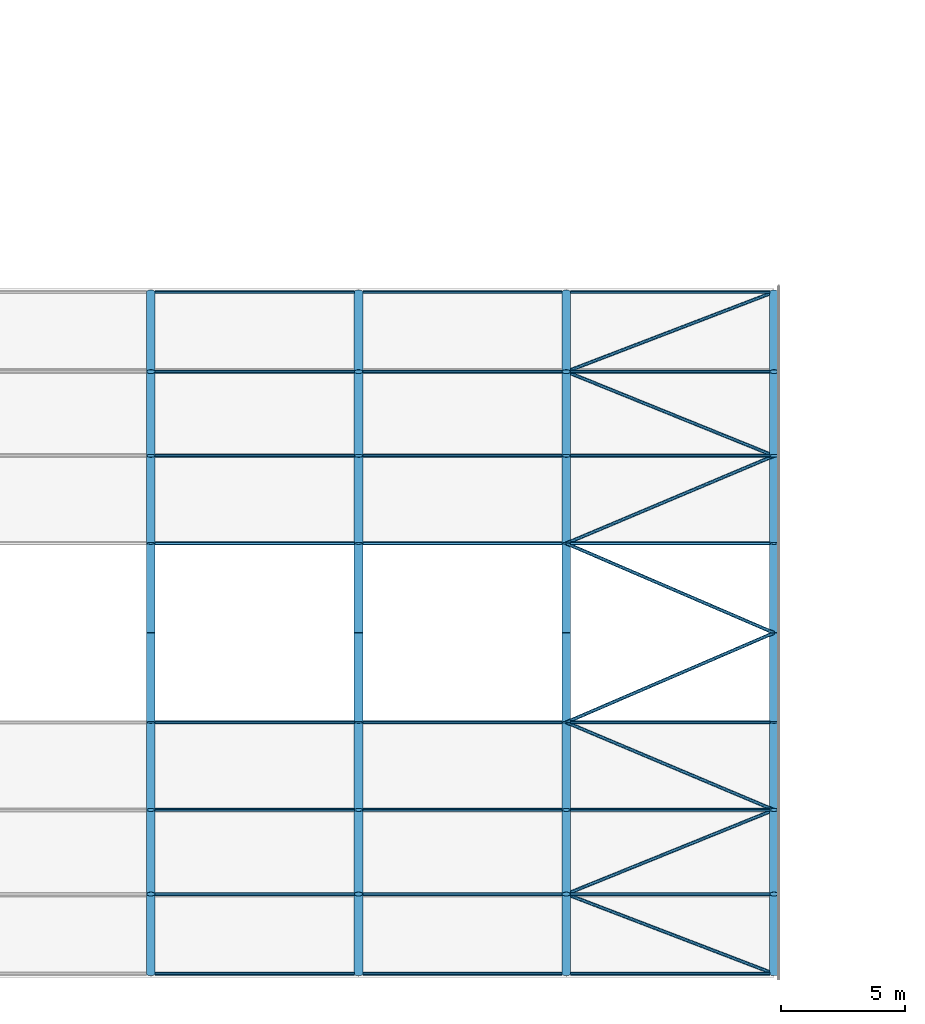
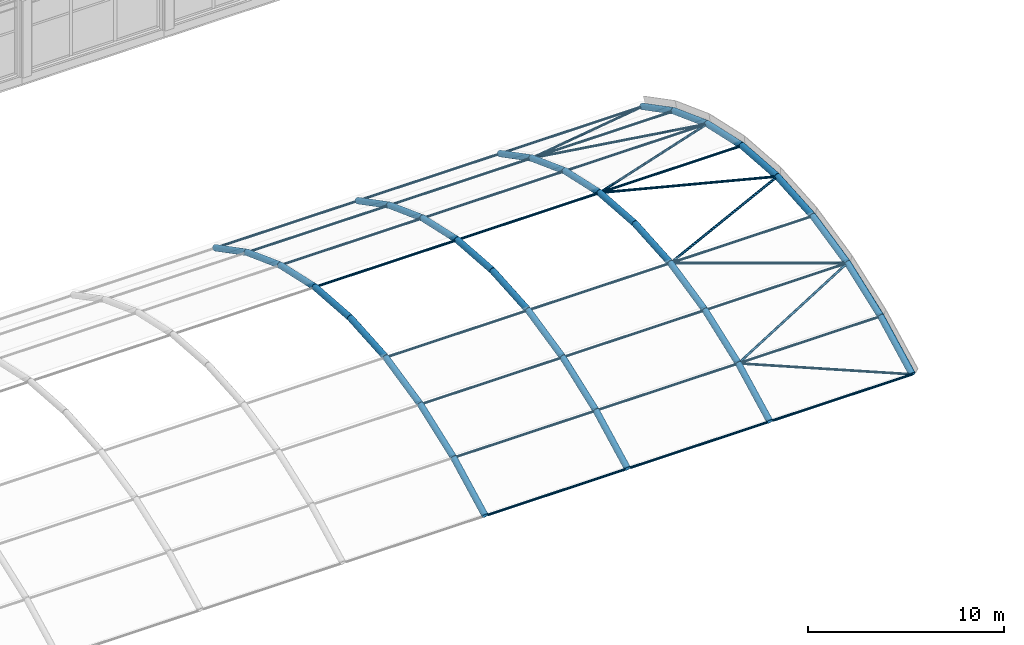
# One storey, part 29 of 167: 64 members.
"""IFC4 building model written with IfcOpenShell, lengths in metres."""

from ifc_helpers import new_model, si_unit, direction, frame, origin, origin_2d, place, context, subcontext, project, spatial, hollow_circle, extrude, material, material_profile, profile_set, type_object, element, save


model = new_model("IFC4")

# Units and contexts
model_context = context("Model", 3, precision=1e-05, world=origin(), true_north=direction((0.0, 1.0)))
body_context = subcontext(model_context, "Body", "Model", "MODEL_VIEW")
ifc_project = project(units=[si_unit("LENGTHUNIT", "METRE"), si_unit("AREAUNIT", "SQUARE_METRE"), si_unit("VOLUMEUNIT", "CUBIC_METRE"), si_unit("PLANEANGLEUNIT", "RADIAN"), si_unit("MASSUNIT", "GRAM", prefix="KILO")], contexts=[model_context])

# Site, building, storey
site_placement = place(None, origin())
site = spatial("IfcSite", under=ifc_project, at=site_placement, CompositionType="ELEMENT")
building_placement = place(site_placement, origin())
building = spatial("IfcBuilding", under=site, at=building_placement, Name="Catenary Quay Ferry Terminal", CompositionType="ELEMENT")
storey_placement = place(building_placement, frame((0.0, 0.0, 6.0)))
storey = spatial("IfcBuildingStorey", under=building, at=storey_placement, Name="L01", CompositionType="ELEMENT", Elevation=6.0)

# Members
ifc_material_1 = material(Name="Steel S355", Category="steel")
ifc_material_profile_1 = material_profile(ifc_material_1, hollow_circle(Radius=0.06982421875, WallThickness=0.008056640625, at=origin_2d()), Name="CHS 139.7x8")
ifc_profile_set_1 = profile_set([ifc_material_profile_1], Name="Steel S355")
member_type_1 = type_object("IfcMemberType", Name="BR1 CHS 139.7x8", PredefinedType="BRACE", material=ifc_profile_set_1)
for number, where, z_axis, x_axis, name in (
    (1, (100.800048828125, 19.818115234375, 1.012939453125), (-0.918043917625, 0.351907496427, 0.182637562593), (-0.357927730116, -0.933749291841, 0.0), "Roof brace BR-CA-10-02"),
    (2, (92.39990234375, 23.0380859375, 2.68408203125), (0.918034168046, 0.371781558914, 0.137810517568), (-0.375363043511, 0.926877869822, 0.0), "Roof brace BR-CA-10-03"),
    (3, (100.800048828125, 26.43994140625, 3.945068359375), (-0.918022334986, 0.387091813758, 0.085993721791), (-0.388531057549, -0.921435628419, 0.0), "Roof brace BR-CA-10-04"),
    (4, (92.39990234375, 29.98193359375, 4.73193359375), (0.91803272271, 0.395420843159, 0.029296362064), (-0.395590642742, 0.918426939596, 0.0), "Roof brace BR-CA-10-05"),
    (5, (100.800048828125, 33.60009765625, 5.0), (-0.918042408193, 0.395398333101, -0.029296671148), (-0.395568126603, -0.918436637562, 0.0), "Roof brace BR-CA-10-06"),
    (6, (92.39990234375, 37.218017578125, 4.73193359375), (0.918022334986, 0.387091813758, -0.085993721791), (-0.388531057549, 0.921435628419, 0.0), "Roof brace BR-CA-10-07"),
    (7, (100.800048828125, 40.760009765625, 3.945068359375), (-0.918025061203, 0.371804552209, -0.137809150496), (-0.375386186218, -0.926868497251, 0.0), "Roof brace BR-CA-10-08"),
    (8, (92.39990234375, 44.162109375, 2.68408203125), (0.918043917625, 0.351907496427, -0.182637562593), (-0.357927730116, 0.933749291841, 0.0), "Roof brace BR-CA-10-09"),
):
    element("IfcMember", number, at=place(storey_placement, frame(where, z_axis=z_axis, x_axis=x_axis)), inside=storey, type_object=member_type_1, Name=name, PredefinedType="BRACE", context=body_context, shape_type="SweptSolid", body=[
        extrude(hollow_circle(Radius=0.06982421875, WallThickness=0.008056640625, at=origin_2d()), origin(), (0.0, 0.0, 1.0), 9.150146484375),
    ])
ifc_material_2 = material(Name="Steel S355", Category="steel")
ifc_material_profile_2 = material_profile(ifc_material_2, hollow_circle(Radius=0.06982421875, WallThickness=0.008056640625, at=origin_2d()), Name="CHS 139.7x8")
ifc_profile_set_2 = profile_set([ifc_material_profile_2], Name="Steel S355")
member_type_2 = type_object("IfcMemberType", Name="PU1 CHS 139.7x8", PredefinedType="PURLIN", material=ifc_profile_set_2)
for number, where, z_axis, x_axis, name in (
    (9, (75.77197265625, 19.818115234375, 1.012939453125), (1.0, 0.0, 0.0), (0.0, 1.0, 0.0), "Purlin PU-CA-08-01"),
    (10, (75.77197265625, 23.0380859375, 2.68408203125), (1.0, 0.0, 0.0), (0.0, 1.0, 0.0), "Purlin PU-CA-08-02"),
    (11, (75.77197265625, 26.43994140625, 3.945068359375), (1.0, 0.0, 0.0), (0.0, 1.0, 0.0), "Purlin PU-CA-08-03"),
    (12, (75.77197265625, 29.98193359375, 4.73193359375), (1.0, 0.0, 0.0), (0.0, 1.0, 0.0), "Purlin PU-CA-08-04"),
    (13, (75.77197265625, 37.218017578125, 4.73193359375), (1.0, 0.0, 0.0), (0.0, 1.0, 0.0), "Purlin PU-CA-08-06"),
    (14, (75.77197265625, 40.760009765625, 3.945068359375), (1.0, 0.0, 0.0), (0.0, 1.0, 0.0), "Purlin PU-CA-08-07"),
    (15, (75.77197265625, 44.162109375, 2.68408203125), (1.0, 0.0, 0.0), (0.0, 1.0, 0.0), "Purlin PU-CA-08-08"),
    (16, (75.77197265625, 47.382080078125, 1.012939453125), (1.0, 0.0, 0.0), (0.0, 1.0, 0.0), "Purlin PU-CA-08-09"),
    (17, (84.172119140625, 19.818115234375, 1.012939453125), (1.0, 0.0, 0.0), (0.0, 1.0, 0.0), "Purlin PU-CA-09-01"),
    (18, (84.172119140625, 23.0380859375, 2.68408203125), (1.0, 0.0, 0.0), (0.0, 1.0, 0.0), "Purlin PU-CA-09-02"),
    (19, (84.172119140625, 26.43994140625, 3.945068359375), (1.0, 0.0, 0.0), (0.0, 1.0, 0.0), "Purlin PU-CA-09-03"),
    (20, (84.172119140625, 29.98193359375, 4.73193359375), (1.0, 0.0, 0.0), (0.0, 1.0, 0.0), "Purlin PU-CA-09-04"),
    (21, (84.172119140625, 37.218017578125, 4.73193359375), (1.0, 0.0, 0.0), (0.0, 1.0, 0.0), "Purlin PU-CA-09-06"),
    (22, (84.172119140625, 40.760009765625, 3.945068359375), (1.0, 0.0, 0.0), (0.0, 1.0, 0.0), "Purlin PU-CA-09-07"),
    (23, (84.172119140625, 44.162109375, 2.68408203125), (1.0, 0.0, 0.0), (0.0, 1.0, 0.0), "Purlin PU-CA-09-08"),
    (24, (84.172119140625, 47.382080078125, 1.012939453125), (1.0, 0.0, 0.0), (0.0, 1.0, 0.0), "Purlin PU-CA-09-09"),
    (25, (92.572021484375, 19.818115234375, 1.012939453125), (1.0, 0.0, 0.0), (0.0, 1.0, 0.0), "Purlin PU-CA-10-01"),
    (26, (92.572021484375, 23.0380859375, 2.68408203125), (1.0, 0.0, 0.0), (0.0, 1.0, 0.0), "Purlin PU-CA-10-02"),
    (27, (92.572021484375, 26.43994140625, 3.945068359375), (1.0, 0.0, 0.0), (0.0, 1.0, 0.0), "Purlin PU-CA-10-03"),
    (28, (92.572021484375, 29.98193359375, 4.73193359375), (1.0, 0.0, 0.0), (0.0, 1.0, 0.0), "Purlin PU-CA-10-04"),
    (29, (92.572021484375, 37.218017578125, 4.73193359375), (1.0, 0.0, 0.0), (0.0, 1.0, 0.0), "Purlin PU-CA-10-06"),
    (30, (92.572021484375, 40.760009765625, 3.945068359375), (1.0, 0.0, 0.0), (0.0, 1.0, 0.0), "Purlin PU-CA-10-07"),
    (31, (92.572021484375, 44.162109375, 2.68408203125), (1.0, 0.0, 0.0), (0.0, 1.0, 0.0), "Purlin PU-CA-10-08"),
    (32, (92.572021484375, 47.382080078125, 1.012939453125), (1.0, 0.0, 0.0), (0.0, 1.0, 0.0), "Purlin PU-CA-10-09"),
):
    element("IfcMember", number, at=place(storey_placement, frame(where, z_axis=z_axis, x_axis=x_axis)), inside=storey, type_object=member_type_2, Name=name, PredefinedType="PURLIN", context=body_context, shape_type="SweptSolid", body=[
        extrude(hollow_circle(Radius=0.06982421875, WallThickness=0.008056640625, at=origin_2d()), origin(), (0.0, 0.0, 1.0), 8.055908203125),
    ])
ifc_material_3 = material(Name="Steel S355", Category="steel")
ifc_material_profile_3 = material_profile(ifc_material_3, hollow_circle(Radius=0.177734375, WallThickness=0.012451171875, at=origin_2d()), Name="CHS 355.6x12.5")
ifc_profile_set_3 = profile_set([ifc_material_profile_3], Name="Steel S355")
member_type_3 = type_object("IfcMemberType", Name="VR1 CHS 355.6x12.5", PredefinedType="RAFTER", material=ifc_profile_set_3)
member_1_placement = place(storey_placement, frame((75.60009765625, 19.818115234375, 1.012939453125), z_axis=(0.0, 0.887582334138, 0.460649107376), x_axis=(-1.0, 0.0, 0.0)))
element("IfcMember", 33, at=member_1_placement, inside=storey, type_object=member_type_3, Name="rib CA-08-02", PredefinedType="RAFTER", context=body_context, shape_type="SweptSolid", body=[
    extrude(hollow_circle(Radius=0.177734375, WallThickness=0.012451171875, at=origin_2d()), origin(), (0.0, 0.0, 1.0), 3.627685546875),
])
member_2_placement = place(storey_placement, frame((75.60009765625, 23.0380859375, 2.68408203125), z_axis=(0.0, 0.93765537762, 0.347566386207), x_axis=(-1.0, 0.0, 0.0)))
element("IfcMember", 34, at=member_2_placement, inside=storey, type_object=member_type_3, Name="rib CA-08-03", PredefinedType="RAFTER", context=body_context, shape_type="SweptSolid", body=[
    extrude(hollow_circle(Radius=0.177734375, WallThickness=0.012451171875, at=origin_2d()), origin(), (0.0, 0.0, 1.0), 3.6279296875),
])
member_3_placement = place(storey_placement, frame((75.60009765625, 26.43994140625, 3.945068359375), z_axis=(0.0, 0.976201307112, 0.216866336698), x_axis=(-1.0, 0.0, 0.0)))
element("IfcMember", 35, at=member_3_placement, inside=storey, type_object=member_type_3, Name="rib CA-08-04", PredefinedType="RAFTER", context=body_context, shape_type="SweptSolid", body=[
    extrude(hollow_circle(Radius=0.177734375, WallThickness=0.012451171875, at=origin_2d()), origin(), (0.0, 0.0, 1.0), 3.62841796875),
])
member_4_placement = place(storey_placement, frame((75.60009765625, 29.98193359375, 4.73193359375), z_axis=(0.0, 0.997266652704, 0.07388655767), x_axis=(-1.0, 0.0, 0.0)))
element("IfcMember", 36, at=member_4_placement, inside=storey, type_object=member_type_3, Name="rib CA-08-05", PredefinedType="RAFTER", context=body_context, shape_type="SweptSolid", body=[
    extrude(hollow_circle(Radius=0.177734375, WallThickness=0.012451171875, at=origin_2d()), origin(), (0.0, 0.0, 1.0), 3.628173828125),
])
member_5_placement = place(storey_placement, frame((75.60009765625, 33.60009765625, 5.0), z_axis=(0.0, 0.997266285305, -0.073891516382), x_axis=(-1.0, 0.0, 0.0)))
element("IfcMember", 37, at=member_5_placement, inside=storey, type_object=member_type_3, Name="rib CA-08-06", PredefinedType="RAFTER", context=body_context, shape_type="SweptSolid", body=[
    extrude(hollow_circle(Radius=0.177734375, WallThickness=0.012451171875, at=origin_2d()), origin(), (0.0, 0.0, 1.0), 3.6279296875),
])
member_6_placement = place(storey_placement, frame((75.60009765625, 37.218017578125, 4.73193359375), z_axis=(0.0, 0.976201307112, -0.216866336698), x_axis=(-1.0, 0.0, 0.0)))
element("IfcMember", 38, at=member_6_placement, inside=storey, type_object=member_type_3, Name="rib CA-08-07", PredefinedType="RAFTER", context=body_context, shape_type="SweptSolid", body=[
    extrude(hollow_circle(Radius=0.177734375, WallThickness=0.012451171875, at=origin_2d()), origin(), (0.0, 0.0, 1.0), 3.62841796875),
])
member_7_placement = place(storey_placement, frame((75.60009765625, 40.760009765625, 3.945068359375), z_axis=(0.0, 0.93766350596, -0.347544456999), x_axis=(-1.0, 0.0, 0.0)))
element("IfcMember", 39, at=member_7_placement, inside=storey, type_object=member_type_3, Name="rib CA-08-08", PredefinedType="RAFTER", context=body_context, shape_type="SweptSolid", body=[
    extrude(hollow_circle(Radius=0.177734375, WallThickness=0.012451171875, at=origin_2d()), origin(), (0.0, 0.0, 1.0), 3.628173828125),
])
for number, where, z_axis, x_axis, name in (
    (40, (75.60009765625, 44.162109375, 2.68408203125), (0.0, 0.887582334138, -0.460649107376), (-1.0, 0.0, 0.0), "rib CA-08-09"),
    (41, (84.0, 19.818115234375, 1.012939453125), (0.0, 0.887582334138, 0.460649107376), (-1.0, 0.0, 0.0), "rib CA-09-02"),
):
    element("IfcMember", number, at=place(storey_placement, frame(where, z_axis=z_axis, x_axis=x_axis)), inside=storey, type_object=member_type_3, Name=name, PredefinedType="RAFTER", context=body_context, shape_type="SweptSolid", body=[
        extrude(hollow_circle(Radius=0.177734375, WallThickness=0.012451171875, at=origin_2d()), origin(), (0.0, 0.0, 1.0), 3.627685546875),
    ])
member_8_placement = place(storey_placement, frame((84.0, 23.0380859375, 2.68408203125), z_axis=(0.0, 0.93765537762, 0.347566386207), x_axis=(-1.0, 0.0, 0.0)))
element("IfcMember", 42, at=member_8_placement, inside=storey, type_object=member_type_3, Name="rib CA-09-03", PredefinedType="RAFTER", context=body_context, shape_type="SweptSolid", body=[
    extrude(hollow_circle(Radius=0.177734375, WallThickness=0.012451171875, at=origin_2d()), origin(), (0.0, 0.0, 1.0), 3.6279296875),
])
member_9_placement = place(storey_placement, frame((84.0, 26.43994140625, 3.945068359375), z_axis=(0.0, 0.976201307112, 0.216866336698), x_axis=(-1.0, 0.0, 0.0)))
element("IfcMember", 43, at=member_9_placement, inside=storey, type_object=member_type_3, Name="rib CA-09-04", PredefinedType="RAFTER", context=body_context, shape_type="SweptSolid", body=[
    extrude(hollow_circle(Radius=0.177734375, WallThickness=0.012451171875, at=origin_2d()), origin(), (0.0, 0.0, 1.0), 3.62841796875),
])
member_10_placement = place(storey_placement, frame((84.0, 29.98193359375, 4.73193359375), z_axis=(0.0, 0.997266652704, 0.07388655767), x_axis=(-1.0, 0.0, 0.0)))
element("IfcMember", 44, at=member_10_placement, inside=storey, type_object=member_type_3, Name="rib CA-09-05", PredefinedType="RAFTER", context=body_context, shape_type="SweptSolid", body=[
    extrude(hollow_circle(Radius=0.177734375, WallThickness=0.012451171875, at=origin_2d()), origin(), (0.0, 0.0, 1.0), 3.628173828125),
])
member_11_placement = place(storey_placement, frame((84.0, 33.60009765625, 5.0), z_axis=(0.0, 0.997266285305, -0.073891516382), x_axis=(-1.0, 0.0, 0.0)))
element("IfcMember", 45, at=member_11_placement, inside=storey, type_object=member_type_3, Name="rib CA-09-06", PredefinedType="RAFTER", context=body_context, shape_type="SweptSolid", body=[
    extrude(hollow_circle(Radius=0.177734375, WallThickness=0.012451171875, at=origin_2d()), origin(), (0.0, 0.0, 1.0), 3.6279296875),
])
member_12_placement = place(storey_placement, frame((84.0, 37.218017578125, 4.73193359375), z_axis=(0.0, 0.976201307112, -0.216866336698), x_axis=(-1.0, 0.0, 0.0)))
element("IfcMember", 46, at=member_12_placement, inside=storey, type_object=member_type_3, Name="rib CA-09-07", PredefinedType="RAFTER", context=body_context, shape_type="SweptSolid", body=[
    extrude(hollow_circle(Radius=0.177734375, WallThickness=0.012451171875, at=origin_2d()), origin(), (0.0, 0.0, 1.0), 3.62841796875),
])
member_13_placement = place(storey_placement, frame((84.0, 40.760009765625, 3.945068359375), z_axis=(0.0, 0.93766350596, -0.347544456999), x_axis=(-1.0, 0.0, 0.0)))
element("IfcMember", 47, at=member_13_placement, inside=storey, type_object=member_type_3, Name="rib CA-09-08", PredefinedType="RAFTER", context=body_context, shape_type="SweptSolid", body=[
    extrude(hollow_circle(Radius=0.177734375, WallThickness=0.012451171875, at=origin_2d()), origin(), (0.0, 0.0, 1.0), 3.628173828125),
])
for number, where, z_axis, x_axis, name in (
    (48, (84.0, 44.162109375, 2.68408203125), (0.0, 0.887582334138, -0.460649107376), (-1.0, 0.0, 0.0), "rib CA-09-09"),
    (49, (92.39990234375, 19.818115234375, 1.012939453125), (0.0, 0.887582334138, 0.460649107376), (-1.0, 0.0, 0.0), "rib CA-10-02"),
):
    element("IfcMember", number, at=place(storey_placement, frame(where, z_axis=z_axis, x_axis=x_axis)), inside=storey, type_object=member_type_3, Name=name, PredefinedType="RAFTER", context=body_context, shape_type="SweptSolid", body=[
        extrude(hollow_circle(Radius=0.177734375, WallThickness=0.012451171875, at=origin_2d()), origin(), (0.0, 0.0, 1.0), 3.627685546875),
    ])
member_14_placement = place(storey_placement, frame((92.39990234375, 23.0380859375, 2.68408203125), z_axis=(0.0, 0.93765537762, 0.347566386207), x_axis=(-1.0, 0.0, 0.0)))
element("IfcMember", 50, at=member_14_placement, inside=storey, type_object=member_type_3, Name="rib CA-10-03", PredefinedType="RAFTER", context=body_context, shape_type="SweptSolid", body=[
    extrude(hollow_circle(Radius=0.177734375, WallThickness=0.012451171875, at=origin_2d()), origin(), (0.0, 0.0, 1.0), 3.6279296875),
])
member_15_placement = place(storey_placement, frame((92.39990234375, 26.43994140625, 3.945068359375), z_axis=(0.0, 0.976201307112, 0.216866336698), x_axis=(-1.0, 0.0, 0.0)))
element("IfcMember", 51, at=member_15_placement, inside=storey, type_object=member_type_3, Name="rib CA-10-04", PredefinedType="RAFTER", context=body_context, shape_type="SweptSolid", body=[
    extrude(hollow_circle(Radius=0.177734375, WallThickness=0.012451171875, at=origin_2d()), origin(), (0.0, 0.0, 1.0), 3.62841796875),
])
member_16_placement = place(storey_placement, frame((92.39990234375, 29.98193359375, 4.73193359375), z_axis=(0.0, 0.997266652704, 0.07388655767), x_axis=(-1.0, 0.0, 0.0)))
element("IfcMember", 52, at=member_16_placement, inside=storey, type_object=member_type_3, Name="rib CA-10-05", PredefinedType="RAFTER", context=body_context, shape_type="SweptSolid", body=[
    extrude(hollow_circle(Radius=0.177734375, WallThickness=0.012451171875, at=origin_2d()), origin(), (0.0, 0.0, 1.0), 3.628173828125),
])
member_17_placement = place(storey_placement, frame((92.39990234375, 33.60009765625, 5.0), z_axis=(0.0, 0.997266285305, -0.073891516382), x_axis=(-1.0, 0.0, 0.0)))
element("IfcMember", 53, at=member_17_placement, inside=storey, type_object=member_type_3, Name="rib CA-10-06", PredefinedType="RAFTER", context=body_context, shape_type="SweptSolid", body=[
    extrude(hollow_circle(Radius=0.177734375, WallThickness=0.012451171875, at=origin_2d()), origin(), (0.0, 0.0, 1.0), 3.6279296875),
])
member_18_placement = place(storey_placement, frame((92.39990234375, 37.218017578125, 4.73193359375), z_axis=(0.0, 0.976201307112, -0.216866336698), x_axis=(-1.0, 0.0, 0.0)))
element("IfcMember", 54, at=member_18_placement, inside=storey, type_object=member_type_3, Name="rib CA-10-07", PredefinedType="RAFTER", context=body_context, shape_type="SweptSolid", body=[
    extrude(hollow_circle(Radius=0.177734375, WallThickness=0.012451171875, at=origin_2d()), origin(), (0.0, 0.0, 1.0), 3.62841796875),
])
member_19_placement = place(storey_placement, frame((92.39990234375, 40.760009765625, 3.945068359375), z_axis=(0.0, 0.93766350596, -0.347544456999), x_axis=(-1.0, 0.0, 0.0)))
element("IfcMember", 55, at=member_19_placement, inside=storey, type_object=member_type_3, Name="rib CA-10-08", PredefinedType="RAFTER", context=body_context, shape_type="SweptSolid", body=[
    extrude(hollow_circle(Radius=0.177734375, WallThickness=0.012451171875, at=origin_2d()), origin(), (0.0, 0.0, 1.0), 3.628173828125),
])
for number, where, z_axis, x_axis, name in (
    (56, (92.39990234375, 44.162109375, 2.68408203125), (0.0, 0.887582334138, -0.460649107376), (-1.0, 0.0, 0.0), "rib CA-10-09"),
    (57, (100.800048828125, 19.818115234375, 1.012939453125), (0.0, 0.887582334138, 0.460649107376), (-1.0, 0.0, 0.0), "rib CA-11-02"),
):
    element("IfcMember", number, at=place(storey_placement, frame(where, z_axis=z_axis, x_axis=x_axis)), inside=storey, type_object=member_type_3, Name=name, PredefinedType="RAFTER", context=body_context, shape_type="SweptSolid", body=[
        extrude(hollow_circle(Radius=0.177734375, WallThickness=0.012451171875, at=origin_2d()), origin(), (0.0, 0.0, 1.0), 3.627685546875),
    ])
member_20_placement = place(storey_placement, frame((100.800048828125, 23.0380859375, 2.68408203125), z_axis=(0.0, 0.93765537762, 0.347566386207), x_axis=(-1.0, 0.0, 0.0)))
element("IfcMember", 58, at=member_20_placement, inside=storey, type_object=member_type_3, Name="rib CA-11-03", PredefinedType="RAFTER", context=body_context, shape_type="SweptSolid", body=[
    extrude(hollow_circle(Radius=0.177734375, WallThickness=0.012451171875, at=origin_2d()), origin(), (0.0, 0.0, 1.0), 3.6279296875),
])
member_21_placement = place(storey_placement, frame((100.800048828125, 26.43994140625, 3.945068359375), z_axis=(0.0, 0.976201307112, 0.216866336698), x_axis=(-1.0, 0.0, 0.0)))
element("IfcMember", 59, at=member_21_placement, inside=storey, type_object=member_type_3, Name="rib CA-11-04", PredefinedType="RAFTER", context=body_context, shape_type="SweptSolid", body=[
    extrude(hollow_circle(Radius=0.177734375, WallThickness=0.012451171875, at=origin_2d()), origin(), (0.0, 0.0, 1.0), 3.62841796875),
])
member_22_placement = place(storey_placement, frame((100.800048828125, 29.98193359375, 4.73193359375), z_axis=(0.0, 0.997266652704, 0.07388655767), x_axis=(-1.0, 0.0, 0.0)))
element("IfcMember", 60, at=member_22_placement, inside=storey, type_object=member_type_3, Name="rib CA-11-05", PredefinedType="RAFTER", context=body_context, shape_type="SweptSolid", body=[
    extrude(hollow_circle(Radius=0.177734375, WallThickness=0.012451171875, at=origin_2d()), origin(), (0.0, 0.0, 1.0), 3.628173828125),
])
member_23_placement = place(storey_placement, frame((100.800048828125, 33.60009765625, 5.0), z_axis=(0.0, 0.997266285305, -0.073891516382), x_axis=(-1.0, 0.0, 0.0)))
element("IfcMember", 61, at=member_23_placement, inside=storey, type_object=member_type_3, Name="rib CA-11-06", PredefinedType="RAFTER", context=body_context, shape_type="SweptSolid", body=[
    extrude(hollow_circle(Radius=0.177734375, WallThickness=0.012451171875, at=origin_2d()), origin(), (0.0, 0.0, 1.0), 3.6279296875),
])
member_24_placement = place(storey_placement, frame((100.800048828125, 37.218017578125, 4.73193359375), z_axis=(0.0, 0.976201307112, -0.216866336698), x_axis=(-1.0, 0.0, 0.0)))
element("IfcMember", 62, at=member_24_placement, inside=storey, type_object=member_type_3, Name="rib CA-11-07", PredefinedType="RAFTER", context=body_context, shape_type="SweptSolid", body=[
    extrude(hollow_circle(Radius=0.177734375, WallThickness=0.012451171875, at=origin_2d()), origin(), (0.0, 0.0, 1.0), 3.62841796875),
])
member_25_placement = place(storey_placement, frame((100.800048828125, 40.760009765625, 3.945068359375), z_axis=(0.0, 0.93766350596, -0.347544456999), x_axis=(-1.0, 0.0, 0.0)))
element("IfcMember", 63, at=member_25_placement, inside=storey, type_object=member_type_3, Name="rib CA-11-08", PredefinedType="RAFTER", context=body_context, shape_type="SweptSolid", body=[
    extrude(hollow_circle(Radius=0.177734375, WallThickness=0.012451171875, at=origin_2d()), origin(), (0.0, 0.0, 1.0), 3.628173828125),
])
member_26_placement = place(storey_placement, frame((100.800048828125, 44.162109375, 2.68408203125), z_axis=(0.0, 0.887582334138, -0.460649107376), x_axis=(-1.0, 0.0, 0.0)))
element("IfcMember", 64, at=member_26_placement, inside=storey, type_object=member_type_3, Name="rib CA-11-09", PredefinedType="RAFTER", context=body_context, shape_type="SweptSolid", body=[
    extrude(hollow_circle(Radius=0.177734375, WallThickness=0.012451171875, at=origin_2d()), origin(), (0.0, 0.0, 1.0), 3.627685546875),
])

save(model, "model.ifc")
